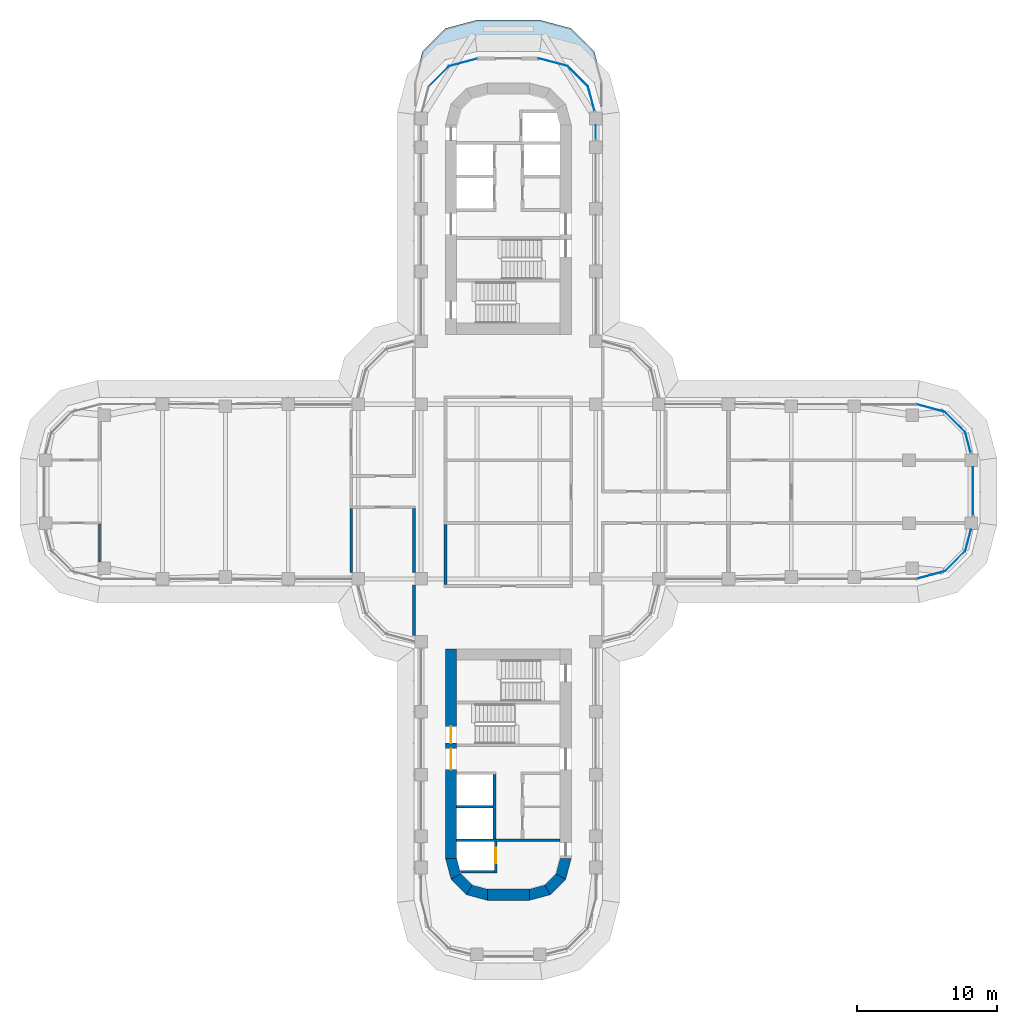
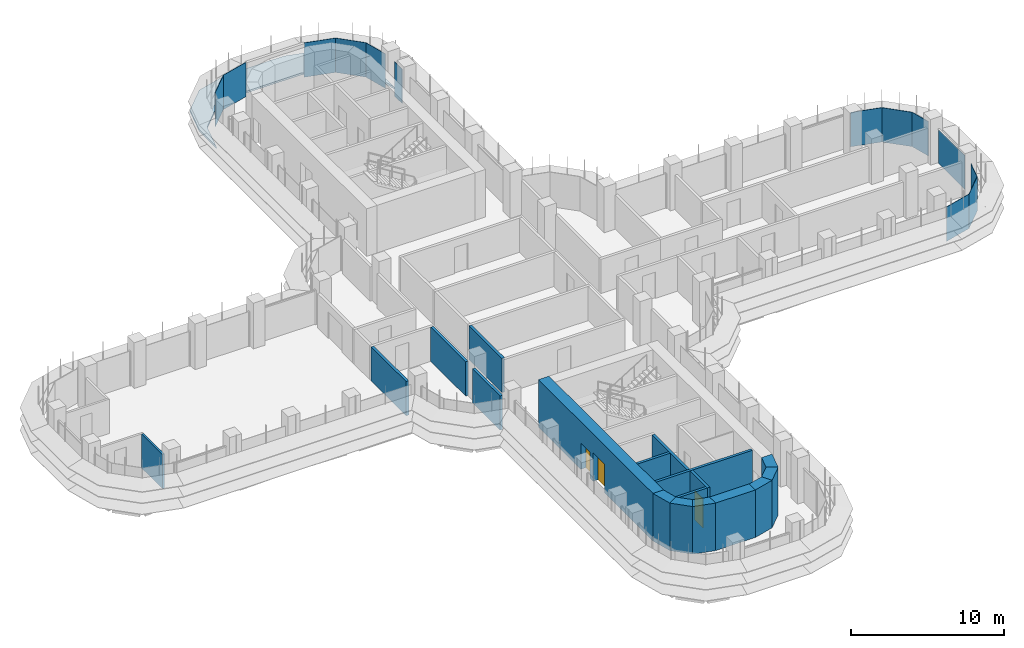
# One storey, part 15 of 22: 18 walls, 13 plates, 3 doors, 1 slab, 3 openings, 13 elements without a shape of their own.
"""IFC4 building model written with IfcOpenShell, lengths in metres."""

from ifc_helpers import new_model, si_unit, direction, frame, frame_2d, origin, place, context, subcontext, project, spatial, polyline, rectangle, outline, extrude, source, transform, mapped, material, layer, layer_set, type_object, element, fill, aggregate, save


model = new_model("IFC4")

# Units and contexts
model_context = context("Model", 3, precision=1e-05, world=origin(), true_north=direction((0.0, 1.0)))
body_context = subcontext(model_context, "Body", "Model", "MODEL_VIEW")
ifc_project = project(units=[si_unit("LENGTHUNIT", "METRE"), si_unit("AREAUNIT", "SQUARE_METRE"), si_unit("VOLUMEUNIT", "CUBIC_METRE"), si_unit("PLANEANGLEUNIT", "RADIAN"), si_unit("MASSUNIT", "GRAM", prefix="KILO")], contexts=[model_context])

# Site, building, storey
site_placement = place(None, origin())
site = spatial("IfcSite", under=ifc_project, at=site_placement, CompositionType="ELEMENT")
building_placement = place(site_placement, origin())
building = spatial("IfcBuilding", under=site, at=building_placement, Name="Zarbagh Exchange Tower", CompositionType="ELEMENT")
storey_placement = place(building_placement, frame((0.0, 0.0, 94.199951171875)))
storey = spatial("IfcBuildingStorey", under=building, at=storey_placement, Name="L21", CompositionType="ELEMENT", Elevation=94.199951171875)

# Slab
ifc_material_1 = material(Name="Concrete C40/50", Category="concrete")
ifc_layer_1 = layer(ifc_material_1, 0.14990234375)
ifc_layer_set_1 = layer_set([ifc_layer_1], Name="Step terrace roof slab 150 C40/50")
slab_type = type_object("IfcSlabType", Name="Step terrace roof slab 150 C40/50", PredefinedType="ROOF", material=ifc_layer_set_1)
slab_placement = place(storey_placement, frame((0.0, 0.0, -0.14990234375)))
element("IfcSlab", 1, at=slab_placement, inside=storey, type_object=slab_type, Name="S10 step terrace roof slab", PredefinedType="ROOF", context=body_context, shape_type="SweptSolid", body=[
    extrude(outline(polyline([(-6.75, 29.25), (-6.147216796875, 31.5), (-4.5, 33.147216796875), (-2.25, 33.75), (2.25, 33.75), (4.5, 33.147216796875), (6.147216796875, 31.5), (6.75, 29.25), (6.75, 27.0), (6.147216796875, 29.25), (4.5, 30.897216796875), (2.25, 31.5), (-2.25, 31.5), (-4.5, 30.897216796875), (-6.147216796875, 29.25), (-6.75, 27.0), (-6.75, 29.25)])), origin(), (0.0, 0.0, 1.0), 0.14990234375),
])

# Curtain wall, plate
ifc_material_2 = material(Name="Anodised aluminium frame and glazing", Category="aluminium")
curtain_wall_type = type_object("IfcCurtainWallType", Name="CWA Ribbon glazing, lower zones", PredefinedType="NOTDEFINED", material=ifc_material_2)
curtain_wall_1_placement = place(storey_placement, origin())
curtain_wall_1 = element("IfcCurtainWall", 2, at=curtain_wall_1_placement, inside=storey, type_object=curtain_wall_type, Name="CWA13 curtain wall", PredefinedType="NOTDEFINED")
ifc_material_3 = material(Name="Low-e double glazed unit, 6+12+6 mm")
ifc_layer_2 = layer(ifc_material_3, 0.028076171875)
ifc_layer_set_2 = layer_set([ifc_layer_2], Name="PAA Glazing panel, Low-e double glazed unit, 6+12+6 mm")
plate_type = type_object("IfcPlateType", Name="PAA Glazing panel, Low-e double glazed unit, 6+12+6 mm", PredefinedType="CURTAIN_PANEL", material=ifc_layer_set_2)
shared_shape_1 = source(origin(), body_context, "Body", "SweptSolid", [
    extrude(outline(polyline([(0.0, -0.013916015625), (1.494140625, -0.013916015625), (1.494140625, 0.013916015625), (0.0, 0.013916015625), (0.0, -0.013916015625)])), origin(), (0.0, 0.0, 1.0), 2.75),
])
placement = place(storey_placement, origin())
plate_1 = element("IfcPlate", 3, at=placement, type_object=plate_type, Name="CWA13 glazing panel 1.1", PredefinedType="CURTAIN_PANEL", context=body_context, shape_type="MappedRepresentation", body=[
    mapped(shared_shape_1, transform((33.08544921875, 2.7978515625, 0.0), x_axis=(-0.258824779902, 0.965924289636, 0.0), y_axis=(-0.965924289636, -0.258824779902, 0.0), z_axis=(0.0, 0.0, 1.0))),
])
aggregate(curtain_wall_1, [plate_1])

curtain_wall_2_placement = place(storey_placement, origin())
curtain_wall_2 = element("IfcCurtainWall", 4, at=curtain_wall_2_placement, inside=storey, type_object=curtain_wall_type, Name="CWA10 curtain wall", PredefinedType="NOTDEFINED")
shared_shape_2 = source(origin(), body_context, "Body", "SweptSolid", [
    extrude(outline(polyline([(0.0, -0.013916015625), (2.061279296875, -0.013916015625), (2.061279296875, 0.013916015625), (0.0, 0.013916015625), (0.0, -0.013916015625)])), origin(), (0.0, 0.0, 1.0), 2.75),
])
plate_2 = element("IfcPlate", 5, at=placement, type_object=plate_type, Name="CWA10 glazing panel 1.1", PredefinedType="CURTAIN_PANEL", context=body_context, shape_type="MappedRepresentation", body=[
    mapped(shared_shape_2, transform((31.2412109375, -5.69873046875, 0.0), x_axis=(0.707106781187, 0.707106781187, 0.0), y_axis=(-0.707106781187, 0.707106781187, 0.0), z_axis=(0.0, 0.0, 1.0))),
])
aggregate(curtain_wall_2, [plate_2])

curtain_wall_3_placement = place(storey_placement, origin())
curtain_wall_3 = element("IfcCurtainWall", 6, at=curtain_wall_3_placement, inside=storey, type_object=curtain_wall_type, Name="CWA14 curtain wall", PredefinedType="NOTDEFINED")
plate_3 = element("IfcPlate", 7, at=placement, type_object=plate_type, Name="CWA14 glazing panel 1.1", PredefinedType="CURTAIN_PANEL", context=body_context, shape_type="MappedRepresentation", body=[
    mapped(shared_shape_2, transform((32.69873046875, 4.2412109375, 0.0), x_axis=(-0.707106781187, 0.707106781187, 0.0), y_axis=(-0.707106781187, -0.707106781187, 0.0), z_axis=(0.0, 0.0, 1.0))),
])
aggregate(curtain_wall_3, [plate_3])

curtain_wall_4_placement = place(storey_placement, origin())
curtain_wall_4 = element("IfcCurtainWall", 8, at=curtain_wall_4_placement, inside=storey, type_object=curtain_wall_type, Name="CWA51 curtain wall", PredefinedType="NOTDEFINED")
plate_4 = element("IfcPlate", 9, at=placement, type_object=plate_type, Name="CWA51 glazing panel 1.1", PredefinedType="CURTAIN_PANEL", context=body_context, shape_type="MappedRepresentation", body=[
    mapped(shared_shape_2, transform((5.69873046875, 28.9912109375, 0.0), x_axis=(-0.707106781187, 0.707106781187, 0.0), y_axis=(-0.707106781187, -0.707106781187, 0.0), z_axis=(0.0, 0.0, 1.0))),
])
aggregate(curtain_wall_4, [plate_4])

curtain_wall_5_placement = place(storey_placement, origin())
curtain_wall_5 = element("IfcCurtainWall", 10, at=curtain_wall_5_placement, inside=storey, type_object=curtain_wall_type, Name="CWA54 curtain wall", PredefinedType="NOTDEFINED")
plate_5 = element("IfcPlate", 11, at=placement, type_object=plate_type, Name="CWA54 glazing panel 1.1", PredefinedType="CURTAIN_PANEL", context=body_context, shape_type="MappedRepresentation", body=[
    mapped(shared_shape_2, transform((-4.2412109375, 30.44873046875, 0.0), x_axis=(-0.707106781187, -0.707106781187, 0.0), y_axis=(0.707106781187, -0.707106781187, 0.0), z_axis=(0.0, 0.0, 1.0))),
])
aggregate(curtain_wall_5, [plate_5])

curtain_wall_6_placement = place(storey_placement, origin())
curtain_wall_6 = element("IfcCurtainWall", 12, at=curtain_wall_6_placement, inside=storey, type_object=curtain_wall_type, Name="CWA15 curtain wall", PredefinedType="NOTDEFINED")
shared_shape_3 = source(origin(), body_context, "Body", "SweptSolid", [
    extrude(outline(polyline([(0.0, -0.013916015625), (2.129638671875, -0.013916015625), (2.129638671875, 0.013916015625), (0.0, 0.013916015625), (0.0, -0.013916015625)])), origin(), (0.0, 0.0, 1.0), 2.75),
])
plate_6 = element("IfcPlate", 13, at=placement, type_object=plate_type, Name="CWA15 glazing panel 1.1", PredefinedType="CURTAIN_PANEL", context=body_context, shape_type="MappedRepresentation", body=[
    mapped(shared_shape_3, transform((31.2412109375, 5.69873046875, 0.0), x_axis=(-0.965924289636, 0.258824779902, 0.0), y_axis=(-0.258824779902, -0.965924289636, 0.0), z_axis=(0.0, 0.0, 1.0))),
])
aggregate(curtain_wall_6, [plate_6])

curtain_wall_7_placement = place(storey_placement, origin())
curtain_wall_7 = element("IfcCurtainWall", 14, at=curtain_wall_7_placement, inside=storey, type_object=curtain_wall_type, Name="CWA52 curtain wall", PredefinedType="NOTDEFINED")
plate_7 = element("IfcPlate", 15, at=placement, type_object=plate_type, Name="CWA52 glazing panel 1.1", PredefinedType="CURTAIN_PANEL", context=body_context, shape_type="MappedRepresentation", body=[
    mapped(shared_shape_3, transform((4.2412109375, 30.44873046875, 0.0), x_axis=(-0.965924289636, 0.258824779902, 0.0), y_axis=(-0.258824779902, -0.965924289636, 0.0), z_axis=(0.0, 0.0, 1.0))),
])
aggregate(curtain_wall_7, [plate_7])

curtain_wall_8_placement = place(storey_placement, origin())
curtain_wall_8 = element("IfcCurtainWall", 16, at=curtain_wall_8_placement, inside=storey, type_object=curtain_wall_type, Name="CWA09 curtain wall", PredefinedType="NOTDEFINED")
shared_shape_4 = source(origin(), body_context, "Body", "SweptSolid", [
    extrude(outline(polyline([(0.0, -0.013916015625), (2.069580078125, -0.013916015625), (2.069580078125, 0.013916015625), (0.0, 0.013916015625), (0.0, -0.013916015625)])), origin(), (0.0, 0.0, 1.0), 2.75),
])
plate_8 = element("IfcPlate", 17, at=placement, type_object=plate_type, Name="CWA09 glazing panel 1.1", PredefinedType="CURTAIN_PANEL", context=body_context, shape_type="MappedRepresentation", body=[
    mapped(shared_shape_4, transform((29.2421875, -6.234375, 0.0), x_axis=(0.965924289636, 0.258824779902, 0.0), y_axis=(-0.258824779902, 0.965924289636, 0.0), z_axis=(0.0, 0.0, 1.0))),
])
aggregate(curtain_wall_8, [plate_8])

curtain_wall_9_placement = place(storey_placement, origin())
curtain_wall_9 = element("IfcCurtainWall", 18, at=curtain_wall_9_placement, inside=storey, type_object=curtain_wall_type, Name="CWA53 curtain wall", PredefinedType="NOTDEFINED")
plate_9 = element("IfcPlate", 19, at=placement, type_object=plate_type, Name="CWA53 glazing panel 1.1", PredefinedType="CURTAIN_PANEL", context=body_context, shape_type="MappedRepresentation", body=[
    mapped(shared_shape_4, transform((-2.2421875, 30.984375, 0.0), x_axis=(-0.965924289636, -0.258824779902, 0.0), y_axis=(0.258824779902, -0.965924289636, 0.0), z_axis=(0.0, 0.0, 1.0))),
])
aggregate(curtain_wall_9, [plate_9])

curtain_wall_10_placement = place(storey_placement, origin())
curtain_wall_10 = element("IfcCurtainWall", 20, at=curtain_wall_10_placement, inside=storey, type_object=curtain_wall_type, Name="CWA11 curtain wall", PredefinedType="NOTDEFINED")
shared_shape_5 = source(origin(), body_context, "Body", "SweptSolid", [
    extrude(outline(polyline([(0.0, -0.013916015625), (1.55419921875, -0.013916015625), (1.55419921875, 0.013916015625), (0.0, 0.013916015625), (0.0, -0.013916015625)])), origin(), (0.0, 0.0, 1.0), 2.75),
])
plate_10 = element("IfcPlate", 21, at=placement, type_object=plate_type, Name="CWA11 glazing panel 1.1", PredefinedType="CURTAIN_PANEL", context=body_context, shape_type="MappedRepresentation", body=[
    mapped(shared_shape_5, transform((32.69873046875, -4.2412109375, 0.0), x_axis=(0.258824779902, 0.965924289636, 0.0), y_axis=(-0.965924289636, 0.258824779902, 0.0), z_axis=(0.0, 0.0, 1.0))),
])
aggregate(curtain_wall_10, [plate_10])

curtain_wall_11_placement = place(storey_placement, origin())
curtain_wall_11 = element("IfcCurtainWall", 22, at=curtain_wall_11_placement, inside=storey, type_object=curtain_wall_type, Name="CWA12 curtain wall", PredefinedType="NOTDEFINED")
shared_shape_6 = source(origin(), body_context, "Body", "SweptSolid", [
    extrude(outline(polyline([(0.0, -0.013916015625), (3.4599609375, -0.013916015625), (3.4599609375, 0.013916015625), (0.0, 0.013916015625), (0.0, -0.013916015625)])), origin(), (0.0, 0.0, 1.0), 2.68994140625),
])
plate_11 = element("IfcPlate", 23, at=placement, type_object=plate_type, Name="CWA12 glazing panel 1.1", PredefinedType="CURTAIN_PANEL", context=body_context, shape_type="MappedRepresentation", body=[
    mapped(shared_shape_6, transform((33.25, -1.699951171875, 0.0), x_axis=(0.0, 1.0, 0.0), y_axis=(-1.0, 0.0, 0.0), z_axis=(0.0, 0.0, 1.0))),
])
aggregate(curtain_wall_11, [plate_11])

curtain_wall_12_placement = place(storey_placement, origin())
curtain_wall_12 = element("IfcCurtainWall", 24, at=curtain_wall_12_placement, inside=storey, type_object=curtain_wall_type, Name="CWA49 curtain wall", PredefinedType="NOTDEFINED")
shared_shape_7 = source(origin(), body_context, "Body", "SweptSolid", [
    extrude(outline(polyline([(0.0, -0.013916015625), (1.010009765625, -0.013916015625), (1.010009765625, 0.013916015625), (0.0, 0.013916015625), (0.0, -0.013916015625)])), origin(), (0.0, 0.0, 1.0), 2.75),
])
plate_12 = element("IfcPlate", 25, at=placement, type_object=plate_type, Name="CWA49 glazing panel 4.1", PredefinedType="CURTAIN_PANEL", context=body_context, shape_type="MappedRepresentation", body=[
    mapped(shared_shape_7, transform((6.25, 25.199951171875, 0.0), x_axis=(0.0, 1.0, 0.0), y_axis=(-1.0, 0.0, 0.0), z_axis=(0.0, 0.0, 1.0))),
])
aggregate(curtain_wall_12, [plate_12])

curtain_wall_13_placement = place(storey_placement, origin())
curtain_wall_13 = element("IfcCurtainWall", 26, at=curtain_wall_13_placement, inside=storey, type_object=curtain_wall_type, Name="CWA50 curtain wall", PredefinedType="NOTDEFINED")
shared_shape_8 = source(origin(), body_context, "Body", "SweptSolid", [
    extrude(outline(polyline([(0.0, -0.013916015625), (1.8046875, -0.013916015625), (1.8046875, 0.013916015625), (0.0, 0.013916015625), (0.0, -0.013916015625)])), origin(), (0.0, 0.0, 1.0), 2.75),
])
plate_13 = element("IfcPlate", 27, at=placement, type_object=plate_type, Name="CWA50 glazing panel 1.1", PredefinedType="CURTAIN_PANEL", context=body_context, shape_type="MappedRepresentation", body=[
    mapped(shared_shape_8, transform((6.166015625, 27.248046875, 0.0), x_axis=(-0.258824779902, 0.965924289636, 0.0), y_axis=(-0.965924289636, -0.258824779902, 0.0), z_axis=(0.0, 0.0, 1.0))),
])
aggregate(curtain_wall_13, [plate_13])

# Walls
ifc_material_4 = material(Name="Plasterboard partition")
ifc_layer_3 = layer(ifc_material_4, 0.14990234375)
ifc_layer_set_3 = layer_set([ifc_layer_3], Name="PARTITION 150")
wall_type_1 = type_object("IfcWallType", Name="PARTITION 150", PredefinedType="PARTITIONING", material=ifc_layer_set_3)
wall_1_placement = place(storey_placement, frame((-29.25, -5.02490234375, 0.0), z_axis=(0.0, 0.0, 1.0), x_axis=(0.0, 1.0, 0.0)))
element("IfcWall", 28, at=wall_1_placement, inside=storey, type_object=wall_type_1, Name="Partition W-742", PredefinedType="PARTITIONING", context=body_context, shape_type="SweptSolid", body=[
    extrude(rectangle(XDim=2.699951171875, YDim=0.14990234375, at=frame_2d((1.35009765625, 0.0))), origin(), (0.0, 0.0, 1.0), 2.738037109375),
])
ifc_material_5 = material(Name="Fire-rated plasterboard partition")
ifc_layer_4 = layer(ifc_material_5, 0.199951171875)
ifc_layer_set_4 = layer_set([ifc_layer_4], Name="RATED PARTITION 200")
wall_type_2 = type_object("IfcWallType", Name="RATED PARTITION 200", PredefinedType="PARTITIONING", material=ifc_layer_set_4)
wall_2_placement = place(storey_placement, frame((-4.5, -6.64990234375, 0.0), z_axis=(0.0, 0.0, 1.0), x_axis=(0.0, 1.0, 0.0)))
element("IfcWall", 29, at=wall_2_placement, inside=storey, type_object=wall_type_2, Name="Partition W-703", PredefinedType="PARTITIONING", context=body_context, shape_type="SweptSolid", body=[
    extrude(rectangle(XDim=4.2998046875, YDim=0.199951171875, at=frame_2d((2.14990234375, 0.0))), origin(), (0.0, 0.0, 1.0), 2.738037109375),
])
wall_3_placement = place(storey_placement, frame((-6.75, -10.300048828125, 0.0), z_axis=(0.0, 0.0, 1.0), x_axis=(0.0, 1.0, 0.0)))
element("IfcWall", 30, at=wall_3_placement, inside=storey, type_object=wall_type_2, Name="Partition W-706", PredefinedType="PARTITIONING", context=body_context, shape_type="SweptSolid", body=[
    extrude(rectangle(XDim=3.60009765625, YDim=0.199951171875, at=frame_2d((1.800048828125, 0.0))), origin(), (0.0, 0.0, 1.0), 2.738037109375),
])
for number, where, z_axis, x_axis, name in (
    (31, (-6.75, -5.800048828125, 0.0), (0.0, 0.0, 1.0), (0.0, 1.0, 0.0), "Partition W-707"),
    (32, (-11.25, -5.800048828125, 0.0), (0.0, 0.0, 1.0), (0.0, 1.0, 0.0), "Partition W-739"),
):
    element("IfcWall", number, at=place(storey_placement, frame(where, z_axis=z_axis, x_axis=x_axis)), inside=storey, type_object=wall_type_2, Name=name, PredefinedType="PARTITIONING", context=body_context, shape_type="SweptSolid", body=[
        extrude(rectangle(XDim=4.574951171875, YDim=0.199951171875, at=frame_2d((2.28759765625, 0.0))), origin(), (0.0, 0.0, 1.0), 2.738037109375),
    ])
ifc_material_6 = material(Name="Concrete C60/75", Category="concrete")
ifc_layer_5 = layer(ifc_material_6, 0.800048828125)
ifc_layer_set_5 = layer_set([ifc_layer_5], Name="RC core corner wall 800 C60/75")
wall_type_3 = type_object("IfcWallType", Name="RC core corner wall 800 C60/75", PredefinedType="SHEAR", material=ifc_layer_set_5)
wall_4_placement = place(storey_placement, origin())
element("IfcWall", 33, at=wall_4_placement, inside=storey, type_object=wall_type_3, Name="CW4 core S corner W", PredefinedType="SHEAR", context=body_context, shape_type="SweptSolid", body=[
    extrude(outline(polyline([(-4.5, -26.25), (-4.09814453125, -27.75), (-3.4052734375, -27.35009765625), (-3.699951171875, -26.25), (-4.5, -26.25)])), origin(), (0.0, 0.0, 1.0), 3.800048828125),
])
wall_5_placement = place(storey_placement, origin())
element("IfcWall", 34, at=wall_5_placement, inside=storey, type_object=wall_type_3, Name="CW4 core S corner W", PredefinedType="SHEAR", context=body_context, shape_type="SweptSolid", body=[
    extrude(outline(polyline([(-4.09814453125, -27.75), (-3.0, -28.84814453125), (-2.60009765625, -28.1552734375), (-3.4052734375, -27.35009765625), (-4.09814453125, -27.75)])), origin(), (0.0, 0.0, 1.0), 3.800048828125),
])
wall_6_placement = place(storey_placement, origin())
element("IfcWall", 35, at=wall_6_placement, inside=storey, type_object=wall_type_3, Name="CW4 core S corner W", PredefinedType="SHEAR", context=body_context, shape_type="SweptSolid", body=[
    extrude(outline(polyline([(-3.0, -28.84814453125), (-1.5, -29.25), (-1.5, -28.449951171875), (-2.60009765625, -28.1552734375), (-3.0, -28.84814453125)])), origin(), (0.0, 0.0, 1.0), 3.800048828125),
])
wall_7_placement = place(storey_placement, origin())
element("IfcWall", 36, at=wall_7_placement, inside=storey, type_object=wall_type_3, Name="CW4 core S corner E", PredefinedType="SHEAR", context=body_context, shape_type="SweptSolid", body=[
    extrude(outline(polyline([(4.5, -26.25), (4.09814453125, -27.75), (3.4052734375, -27.35009765625), (3.699951171875, -26.25), (4.5, -26.25)])), origin(), (0.0, 0.0, 1.0), 3.800048828125),
])
wall_8_placement = place(storey_placement, origin())
element("IfcWall", 37, at=wall_8_placement, inside=storey, type_object=wall_type_3, Name="CW4 core S corner E", PredefinedType="SHEAR", context=body_context, shape_type="SweptSolid", body=[
    extrude(outline(polyline([(4.09814453125, -27.75), (3.0, -28.84814453125), (2.60009765625, -28.1552734375), (3.4052734375, -27.35009765625), (4.09814453125, -27.75)])), origin(), (0.0, 0.0, 1.0), 3.800048828125),
])
wall_9_placement = place(storey_placement, origin())
element("IfcWall", 38, at=wall_9_placement, inside=storey, type_object=wall_type_3, Name="CW4 core S corner E", PredefinedType="SHEAR", context=body_context, shape_type="SweptSolid", body=[
    extrude(outline(polyline([(3.0, -28.84814453125), (1.5, -29.25), (1.5, -28.449951171875), (2.60009765625, -28.1552734375), (3.0, -28.84814453125)])), origin(), (0.0, 0.0, 1.0), 3.800048828125),
])

# Wall, openings, doors
ifc_layer_6 = layer(ifc_material_6, 0.800048828125)
ifc_layer_set_6 = layer_set([ifc_layer_6], Name="RC core wall 800 C60/75")
wall_type_4 = type_object("IfcWallType", Name="RC core wall 800 C60/75", PredefinedType="SHEAR", material=ifc_layer_set_6)
wall_10_placement = place(storey_placement, frame((-4.10009765625, -11.25, 0.0), z_axis=(0.0, 0.0, 1.0), x_axis=(0.0, -1.0, 0.0)))
wall_10 = element("IfcWall", 39, at=wall_10_placement, inside=storey, type_object=wall_type_4, Name="CW3 core S W", PredefinedType="SHEAR", context=body_context, shape_type="SweptSolid", body=[
    extrude(rectangle(XDim=15.0, YDim=0.800048828125, at=frame_2d((7.5, 0.0))), origin(), (0.0, 0.0, 1.0), 3.800048828125),
])
opening_1_placement = place(wall_10_placement, frame((7.14990234375, 0.0, 0.0)))
opening_1 = element("IfcOpeningElement", 40, at=opening_1_placement, cuts=wall_10, Name="Opening CD1-1500", PredefinedType="OPENING", context=body_context, shape_type="SweptSolid", body=[
    extrude(rectangle(XDim=1.5, YDim=2.300048828125, at=frame_2d((0.75, 1.14990234375))), frame((0.0, 0.409912109375, 0.0), z_axis=(0.0, -1.0, 0.0), x_axis=(1.0, 0.0, 0.0)), (0.0, 0.0, 1.0), 0.820068359375),
])
opening_2_placement = place(wall_10_placement, frame((5.550048828125, 0.0, 0.0)))
opening_2 = element("IfcOpeningElement", 41, at=opening_2_placement, cuts=wall_10, Name="Opening SD1-1200", PredefinedType="OPENING", context=body_context, shape_type="SweptSolid", body=[
    extrude(rectangle(XDim=1.199951171875, YDim=2.10009765625, at=frame_2d((0.60009765625, 1.050048828125))), frame((0.0, 0.409912109375, 0.0), z_axis=(0.0, -1.0, 0.0), x_axis=(1.0, 0.0, 0.0)), (0.0, 0.0, 1.0), 0.820068359375),
])
ifc_material_7 = material(Name="Steel", Category="steel")
door_type_1 = type_object("IfcDoorType", Name="Exit stair door 1200 x 2100", OperationType="NOTDEFINED", PredefinedType="DOOR", material=ifc_material_7)
door_1_placement = place(opening_2_placement, origin())
door_1 = element("IfcDoor", 42, at=door_1_placement, inside=storey, type_object=door_type_1, Name="South core stair door ST1", OperationType="SINGLE_SWING_LEFT", OverallHeight=2.10009765625, OverallWidth=1.199951171875, PredefinedType="DOOR", context=body_context, shape_type="SweptSolid", body=[
    extrude(rectangle(XDim=1.199951171875, YDim=2.10009765625, at=frame_2d((0.60009765625, 1.050048828125))), frame((0.0, 0.02490234375, 0.0), z_axis=(0.0, -1.0, 0.0), x_axis=(1.0, 0.0, 0.0)), (0.0, 0.0, 1.0), 0.050048828125),
])
fill(opening_2, door_1)
door_type_2 = type_object("IfcDoorType", Name="Lift lobby double door 1500 x 2300", OperationType="NOTDEFINED", PredefinedType="DOOR", material=ifc_material_7)
door_2_placement = place(opening_1_placement, origin())
door_2 = element("IfcDoor", 43, at=door_2_placement, inside=storey, type_object=door_type_2, Name="South core lift lobby door LOBBY-E", OperationType="DOUBLE_DOOR_SINGLE_SWING", OverallHeight=2.300048828125, OverallWidth=1.5, PredefinedType="DOOR", context=body_context, shape_type="SweptSolid", body=[
    extrude(rectangle(XDim=1.5, YDim=2.300048828125, at=frame_2d((0.75, 1.14990234375))), frame((0.0, 0.02490234375, 0.0), z_axis=(0.0, -1.0, 0.0), x_axis=(1.0, 0.0, 0.0)), (0.0, 0.0, 1.0), 0.050048828125),
])
fill(opening_1, door_2)

# Walls
wall_11_placement = place(storey_placement, frame((-1.5, -28.85009765625, 0.0), z_axis=(0.0, 0.0, 1.0), x_axis=(1.0, 0.0, 0.0)))
element("IfcWall", 44, at=wall_11_placement, inside=storey, type_object=wall_type_4, Name="CW3 core S outer end", PredefinedType="SHEAR", context=body_context, shape_type="SweptSolid", body=[
    extrude(rectangle(XDim=3.0, YDim=0.800048828125, at=frame_2d((1.5, 0.0))), origin(), (0.0, 0.0, 1.0), 3.800048828125),
])
ifc_material_8 = material(Name="Dense blockwork", Category="masonry")
ifc_layer_7 = layer(ifc_material_8, 0.199951171875)
ifc_layer_set_7 = layer_set([ifc_layer_7], Name="Shaft wall 200 mm blockwork")
wall_type_5 = type_object("IfcWallType", Name="Shaft wall 200 mm blockwork", PredefinedType="PARTITIONING", material=ifc_layer_set_7)
wall_12_placement = place(storey_placement, frame((-1.0, -24.85009765625, 0.0), z_axis=(0.0, 0.0, 1.0), x_axis=(0.0, 1.0, 0.0)))
element("IfcWall", 45, at=wall_12_placement, inside=storey, type_object=wall_type_5, Name="South core shaft wall LW-E", PredefinedType="PARTITIONING", context=body_context, shape_type="SweptSolid", body=[
    extrude(rectangle(XDim=4.60009765625, YDim=0.199951171875, at=frame_2d((2.300048828125, 0.0))), origin(), (0.0, 0.0, 1.0), 3.650146484375),
])
wall_13_placement = place(storey_placement, frame((-1.10009765625, -22.550048828125, 0.0), z_axis=(0.0, 0.0, 1.0), x_axis=(-1.0, 0.0, 0.0)))
element("IfcWall", 46, at=wall_13_placement, inside=storey, type_object=wall_type_5, Name="South core shaft wall TR-E", PredefinedType="PARTITIONING", context=body_context, shape_type="SweptSolid", body=[
    extrude(rectangle(XDim=2.599853515625, YDim=0.199951171875, at=frame_2d((1.2998046875, 0.0))), origin(), (0.0, 0.0, 1.0), 3.650146484375),
])
ifc_layer_8 = layer(ifc_material_1, 0.199951171875)
ifc_layer_set_8 = layer_set([ifc_layer_8], Name="Stair enclosure wall 200 mm RC C40/50")
wall_type_6 = type_object("IfcWallType", Name="Stair enclosure wall 200 mm RC C40/50", PredefinedType="SHEAR", material=ifc_layer_set_8)
wall_14_placement = place(storey_placement, frame((3.699951171875, -24.949951171875, 0.0), z_axis=(0.0, 0.0, 1.0), x_axis=(-1.0, 0.0, 0.0)))
element("IfcWall", 47, at=wall_14_placement, inside=storey, type_object=wall_type_6, Name="South core lift shaft wall FFA", PredefinedType="SHEAR", context=body_context, shape_type="SweptSolid", body=[
    extrude(rectangle(XDim=7.39990234375, YDim=0.199951171875, at=frame_2d((3.699951171875, 0.0))), origin(), (0.0, 0.0, 1.0), 3.650146484375),
])

# Wall, opening, door
wall_15_placement = place(storey_placement, frame((-0.89990234375, -27.300048828125, 0.0), z_axis=(0.0, 0.0, 1.0), x_axis=(0.0, 1.0, 0.0)))
wall_15 = element("IfcWall", 48, at=wall_15_placement, inside=storey, type_object=wall_type_6, Name="South core lift shaft wall FFL", PredefinedType="SHEAR", context=body_context, shape_type="SweptSolid", body=[
    extrude(rectangle(XDim=2.25, YDim=0.199951171875, at=frame_2d((1.125, 0.0))), origin(), (0.0, 0.0, 1.0), 3.650146484375),
])
opening_3_placement = place(wall_15_placement, frame((0.699951171875, 0.0, 0.0)))
opening_3 = element("IfcOpeningElement", 49, at=opening_3_placement, cuts=wall_15, Name="Opening LD-1100", PredefinedType="OPENING", context=body_context, shape_type="SweptSolid", body=[
    extrude(rectangle(XDim=1.10009765625, YDim=2.300048828125, at=frame_2d((0.550048828125, 1.14990234375))), frame((0.0, 0.10986328125, 0.0), z_axis=(0.0, -1.0, 0.0), x_axis=(1.0, 0.0, 0.0)), (0.0, 0.0, 1.0), 0.219970703125),
])
ifc_material_9 = material(Name="Stainless steel", Category="steel")
door_type_3 = type_object("IfcDoorType", Name="Lift landing door 1100 x 2300", OperationType="NOTDEFINED", PredefinedType="DOOR", material=ifc_material_9)
door_3_placement = place(opening_3_placement, origin())
door_3 = element("IfcDoor", 50, at=door_3_placement, inside=storey, type_object=door_type_3, Name="South core lift landing door LD-F", OperationType="DOUBLE_DOOR_SLIDING", OverallHeight=2.300048828125, OverallWidth=1.10009765625, PredefinedType="DOOR", context=body_context, shape_type="SweptSolid", body=[
    extrude(rectangle(XDim=1.10009765625, YDim=2.300048828125, at=frame_2d((0.550048828125, 1.14990234375))), frame((0.0, 0.02490234375, 0.0), z_axis=(0.0, -1.0, 0.0), x_axis=(1.0, 0.0, 0.0)), (0.0, 0.0, 1.0), 0.050048828125),
])
fill(opening_3, door_3)

# Wall
wall_16_placement = place(storey_placement, origin())
element("IfcWall", 51, at=wall_16_placement, inside=storey, type_object=wall_type_6, Name="South core lift shaft wall FFX", PredefinedType="SHEAR", context=body_context, shape_type="SweptSolid", body=[
    extrude(outline(polyline([(-1.0, -27.10009765625), (-3.444091796875, -27.10009765625), (-3.390380859375, -27.300048828125), (-1.0, -27.300048828125), (-1.0, -27.10009765625)])), origin(), (0.0, 0.0, 1.0), 3.650146484375),
])

save(model, "model.ifc")
